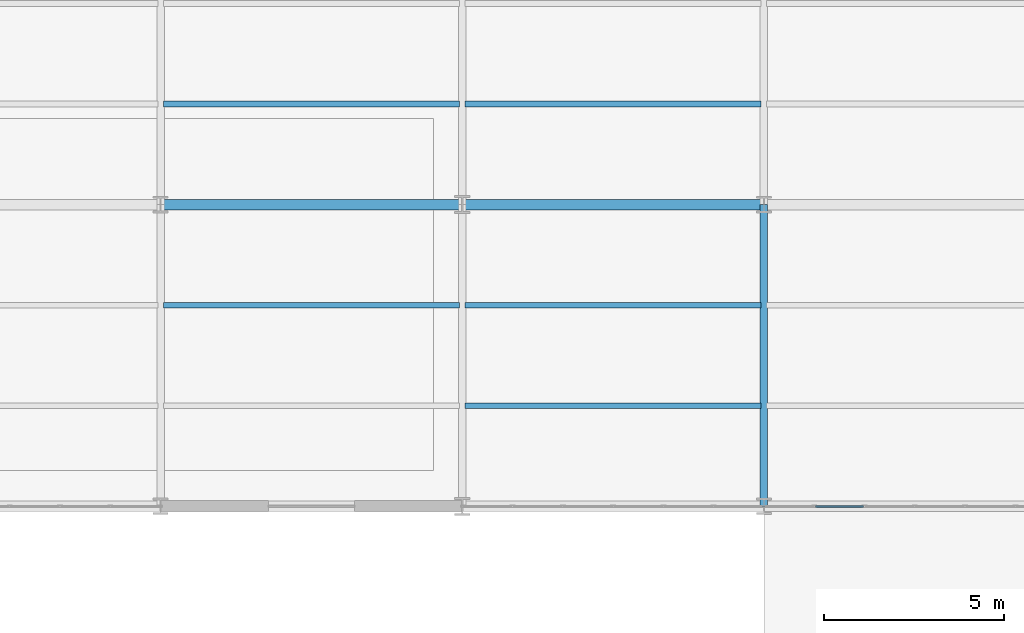
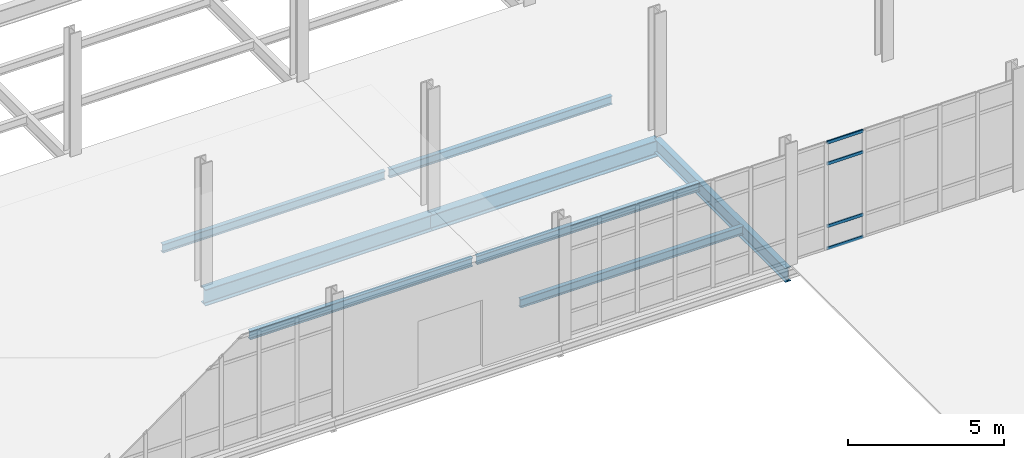
# One storey, part 80 of 145: 8 beams, 4 members, 1 element without a shape of its own.
"""IFC4 building model written with IfcOpenShell, lengths in metres."""

from ifc_helpers import new_model, si_unit, direction, frame, origin, origin_2d, place, context, subcontext, project, spatial, hollow_rectangle, i_section, extrude, material, layer, layer_set, material_profile, profile_set, type_object, element, aggregate, save


model = new_model("IFC4")

# Units and contexts
model_context = context("Model", 3, precision=1e-05, world=origin(), true_north=direction((0.0, 1.0)))
body_context = subcontext(model_context, "Body", "Model", "MODEL_VIEW")
ifc_project = project(units=[si_unit("LENGTHUNIT", "METRE"), si_unit("AREAUNIT", "SQUARE_METRE"), si_unit("VOLUMEUNIT", "CUBIC_METRE"), si_unit("PLANEANGLEUNIT", "RADIAN"), si_unit("MASSUNIT", "GRAM", prefix="KILO")], contexts=[model_context])

# Site, building, storey
site_placement = place(None, origin())
site = spatial("IfcSite", under=ifc_project, at=site_placement, CompositionType="ELEMENT")
building_placement = place(site_placement, origin())
building = spatial("IfcBuilding", under=site, at=building_placement, Name="Qalvenar Corner Mobility Hub", CompositionType="ELEMENT")
storey_placement = place(building_placement, origin())
storey = spatial("IfcBuildingStorey", under=building, at=storey_placement, Name="L00", CompositionType="ELEMENT", Elevation=0.0)

# Beams
ifc_material_1 = material(Name="Steel S355", Category="steel")
ifc_material_profile_1 = material_profile(ifc_material_1, i_section(OverallWidth=0.300048828125, OverallDepth=0.639892578125, WebThickness=0.013427734375, FlangeThickness=0.02587890625, FilletRadius=0.027099609375, at=origin_2d()), Name="HEA650")
ifc_profile_set_1 = profile_set([ifc_material_profile_1], Name="Steel S355")
beam_type_1 = type_object("IfcBeamType", Name="BM-HEA650", PredefinedType="BEAM", material=ifc_profile_set_1)
beam_1_placement = place(storey_placement, frame((92.39990234375, 75.60009765625, -0.5400390625), z_axis=(1.0, 0.0, 0.0), x_axis=(0.0, 1.0, 0.0)))
element("IfcBeam", 1, at=beam_1_placement, inside=storey, type_object=beam_type_1, Name="Primary Steel Girder GX-0535", PredefinedType="BEAM", context=body_context, shape_type="SweptSolid", body=[
    extrude(i_section(OverallWidth=0.300048828125, OverallDepth=0.639892578125, WebThickness=0.013427734375, FlangeThickness=0.02587890625, FilletRadius=0.027099609375, at=origin_2d()), origin(), (0.0, 0.0, 1.0), 8.400146484375),
])
beam_2_placement = place(storey_placement, frame((100.800048828125, 75.60009765625, -0.5400390625), z_axis=(1.0, 0.0, 0.0), x_axis=(0.0, 1.0, 0.0)))
element("IfcBeam", 2, at=beam_2_placement, inside=storey, type_object=beam_type_1, Name="Primary Steel Girder GX-0536", PredefinedType="BEAM", context=body_context, shape_type="SweptSolid", body=[
    extrude(i_section(OverallWidth=0.300048828125, OverallDepth=0.639892578125, WebThickness=0.013427734375, FlangeThickness=0.02587890625, FilletRadius=0.027099609375, at=origin_2d()), origin(), (0.0, 0.0, 1.0), 8.39990234375),
])
ifc_material_profile_2 = material_profile(ifc_material_1, i_section(OverallWidth=0.2099609375, OverallDepth=0.550048828125, WebThickness=0.010986328125, FlangeThickness=0.01708984375, FilletRadius=0.02392578125, at=origin_2d()), Name="IPE550")
ifc_profile_set_2 = profile_set([ifc_material_profile_2], Name="Steel S355")
beam_type_2 = type_object("IfcBeamType", Name="BM-IPE550", PredefinedType="BEAM", material=ifc_profile_set_2)
beam_3_placement = place(storey_placement, frame((109.199951171875, 67.199951171875, -0.4951171875), z_axis=(0.0, 1.0, 0.0), x_axis=(-1.0, 0.0, 0.0)))
element("IfcBeam", 3, at=beam_3_placement, inside=storey, type_object=beam_type_2, Name="Primary Steel Girder GY-0623", PredefinedType="BEAM", context=body_context, shape_type="SweptSolid", body=[
    extrude(i_section(OverallWidth=0.2099609375, OverallDepth=0.550048828125, WebThickness=0.010986328125, FlangeThickness=0.01708984375, FilletRadius=0.02392578125, at=origin_2d()), origin(), (0.0, 0.0, 1.0), 8.400146484375),
])
ifc_material_profile_3 = material_profile(ifc_material_1, i_section(OverallWidth=0.159912109375, OverallDepth=0.330078125, WebThickness=0.007568359375, FlangeThickness=0.011474609375, FilletRadius=0.01806640625, at=origin_2d()), Name="IPE330")
ifc_profile_set_3 = profile_set([ifc_material_profile_3], Name="Steel S355")
beam_type_3 = type_object("IfcBeamType", Name="BM-JST330", PredefinedType="JOIST", material=ifc_profile_set_3)
for number, where, z_axis, x_axis, name in (
    (4, (92.47802734375, 72.800048828125, -0.385009765625), (1.0, 0.0, 0.0), (0.0, 1.0, 0.0), "Composite Floor Joist J-0694"),
    (5, (92.47802734375, 78.39990234375, -0.385009765625), (1.0, 0.0, 0.0), (0.0, 1.0, 0.0), "Composite Floor Joist J-0695"),
):
    element("IfcBeam", number, at=place(storey_placement, frame(where, z_axis=z_axis, x_axis=x_axis)), inside=storey, type_object=beam_type_3, Name=name, PredefinedType="JOIST", context=body_context, shape_type="SweptSolid", body=[
        extrude(i_section(OverallWidth=0.159912109375, OverallDepth=0.330078125, WebThickness=0.007568359375, FlangeThickness=0.011474609375, FilletRadius=0.01806640625, at=origin_2d()), origin(), (0.0, 0.0, 1.0), 8.243896484375),
    ])
for number, where, z_axis, x_axis, name in (
    (6, (100.8779296875, 70.0, -0.385009765625), (1.0, 0.0, 0.0), (0.0, 1.0, 0.0), "Composite Floor Joist J-0705"),
    (7, (100.8779296875, 72.800048828125, -0.385009765625), (1.0, 0.0, 0.0), (0.0, 1.0, 0.0), "Composite Floor Joist J-0706"),
    (8, (100.8779296875, 78.39990234375, -0.385009765625), (1.0, 0.0, 0.0), (0.0, 1.0, 0.0), "Composite Floor Joist J-0707"),
):
    element("IfcBeam", number, at=place(storey_placement, frame(where, z_axis=z_axis, x_axis=x_axis)), inside=storey, type_object=beam_type_3, Name=name, PredefinedType="JOIST", context=body_context, shape_type="SweptSolid", body=[
        extrude(i_section(OverallWidth=0.159912109375, OverallDepth=0.330078125, WebThickness=0.007568359375, FlangeThickness=0.011474609375, FilletRadius=0.01806640625, at=origin_2d()), origin(), (0.0, 0.0, 1.0), 8.244140625),
    ])

# Curtain wall, members
ifc_material_2 = material(Name="Anodised Aluminium and Low-E Glazing", Category="aluminium")
ifc_layer = layer(ifc_material_2, 0.14990234375)
ifc_layer_set = layer_set([ifc_layer], Name="Anodised Aluminium and Low-E Glazing")
curtain_wall_type = type_object("IfcCurtainWallType", Name="CW-MOB-84X46", PredefinedType="NOTDEFINED", material=ifc_layer_set)
curtain_wall_placement = place(storey_placement, origin())
curtain_wall = element("IfcCurtainWall", 9, at=curtain_wall_placement, inside=storey, type_object=curtain_wall_type, Name="Glazed Curtain Wall CW-V4-L00-S6", PredefinedType="NOTDEFINED")
ifc_material_3 = material(Name="Anodised Aluminium 6063-T6", Category="aluminium")
ifc_material_profile_4 = material_profile(ifc_material_3, hollow_rectangle(XDim=0.054931640625, YDim=0.1201171875, WallThickness=0.00341796875, InnerFilletRadius=0.00341796875, OuterFilletRadius=0.007080078125, at=origin_2d()), Name="RHS120x55x3.5")
ifc_profile_set_4 = profile_set([ifc_material_profile_4], Name="Anodised Aluminium 6063-T6")
member_type = type_object("IfcMemberType", Name="CW-TRN120", PredefinedType="USERDEFINED", material=ifc_profile_set_4)
member_1_placement = place(storey_placement, frame((110.6298828125, 67.199951171875, 0.027587890625), z_axis=(1.0, 0.0, 0.0), x_axis=(0.0, 1.0, 0.0)))
member_1 = element("IfcMember", 10, at=member_1_placement, type_object=member_type, Name="CW-03 transom 2.1", ObjectType="TRANSOM", PredefinedType="USERDEFINED", context=body_context, shape_type="SweptSolid", body=[
    extrude(hollow_rectangle(XDim=0.054931640625, YDim=0.1201171875, WallThickness=0.00341796875, InnerFilletRadius=0.00341796875, OuterFilletRadius=0.007080078125, at=origin_2d()), origin(), (0.0, 0.0, 1.0), 1.340087890625),
])
member_2_placement = place(storey_placement, frame((110.6298828125, 67.199951171875, 0.89990234375), z_axis=(1.0, 0.0, 0.0), x_axis=(0.0, 1.0, 0.0)))
member_2 = element("IfcMember", 11, at=member_2_placement, type_object=member_type, Name="CW-03 transom 2.2", ObjectType="TRANSOM", PredefinedType="USERDEFINED", context=body_context, shape_type="SweptSolid", body=[
    extrude(hollow_rectangle(XDim=0.054931640625, YDim=0.1201171875, WallThickness=0.00341796875, InnerFilletRadius=0.00341796875, OuterFilletRadius=0.007080078125, at=origin_2d()), origin(), (0.0, 0.0, 1.0), 1.340087890625),
])
member_3_placement = place(storey_placement, frame((110.6298828125, 67.199951171875, 3.35009765625), z_axis=(1.0, 0.0, 0.0), x_axis=(0.0, 1.0, 0.0)))
member_3 = element("IfcMember", 12, at=member_3_placement, type_object=member_type, Name="CW-03 transom 2.3", ObjectType="TRANSOM", PredefinedType="USERDEFINED", context=body_context, shape_type="SweptSolid", body=[
    extrude(hollow_rectangle(XDim=0.054931640625, YDim=0.1201171875, WallThickness=0.00341796875, InnerFilletRadius=0.00341796875, OuterFilletRadius=0.007080078125, at=origin_2d()), origin(), (0.0, 0.0, 1.0), 1.340087890625),
])
member_4_placement = place(storey_placement, frame((110.6298828125, 67.199951171875, 4.172607421875), z_axis=(1.0, 0.0, 0.0), x_axis=(0.0, 1.0, 0.0)))
member_4 = element("IfcMember", 13, at=member_4_placement, type_object=member_type, Name="CW-03 transom 2.4", ObjectType="TRANSOM", PredefinedType="USERDEFINED", context=body_context, shape_type="SweptSolid", body=[
    extrude(hollow_rectangle(XDim=0.054931640625, YDim=0.1201171875, WallThickness=0.00341796875, InnerFilletRadius=0.00341796875, OuterFilletRadius=0.007080078125, at=origin_2d()), origin(), (0.0, 0.0, 1.0), 1.340087890625),
])
aggregate(curtain_wall, [member_1, member_2, member_3, member_4])

save(model, "model.ifc")
